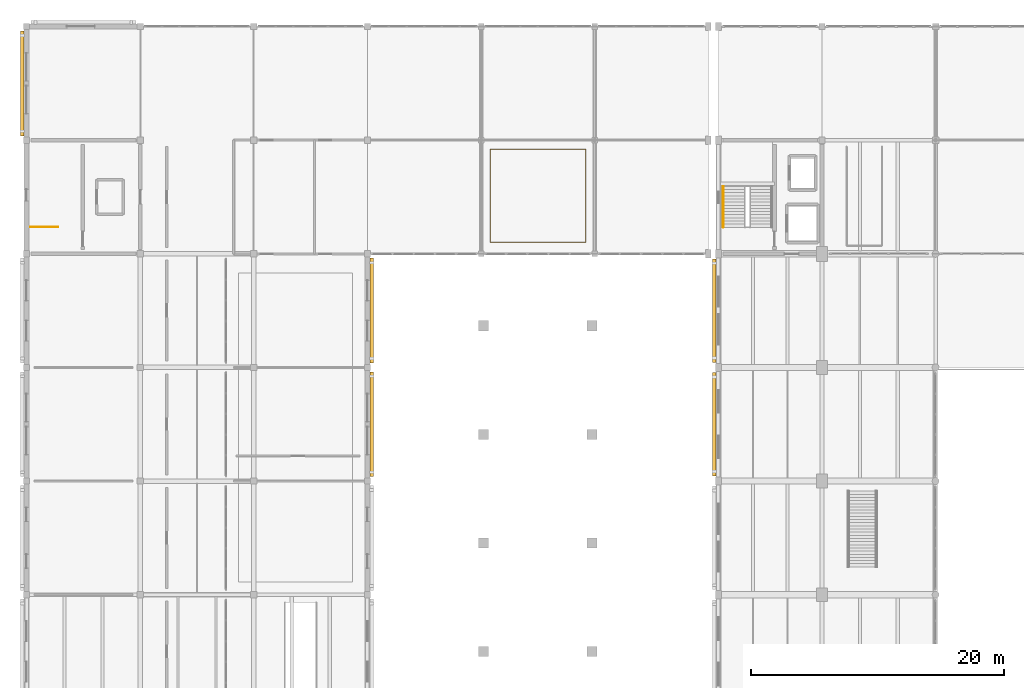
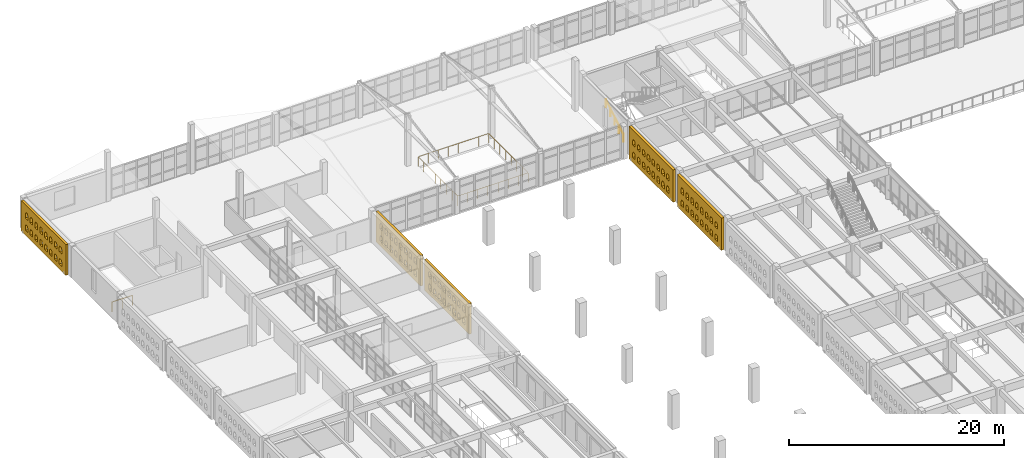
# One storey, part 149 of 156: 5 coverings, 3 railings.
"""IFC4 building model written with IfcOpenShell, lengths in metres."""

from ifc_helpers import new_model, si_unit, direction, frame, origin, origin_2d, place, context, subcontext, project, spatial, polyline, circle, outline, extrude, material, layer, layer_set, type_object, element, save


model = new_model("IFC4")

# Units and contexts
model_context = context("Model", 3, precision=1e-05, world=origin(), true_north=direction((0.0, 1.0)))
body_context = subcontext(model_context, "Body", "Model", "MODEL_VIEW")
ifc_project = project(units=[si_unit("LENGTHUNIT", "METRE"), si_unit("AREAUNIT", "SQUARE_METRE"), si_unit("VOLUMEUNIT", "CUBIC_METRE"), si_unit("PLANEANGLEUNIT", "RADIAN"), si_unit("MASSUNIT", "GRAM", prefix="KILO")], contexts=[model_context])

# Site, building, storey
site_placement = place(None, origin())
site = spatial("IfcSite", under=ifc_project, at=site_placement, CompositionType="ELEMENT")
building_placement = place(site_placement, origin())
building = spatial("IfcBuilding", under=site, at=building_placement, Name="Ornek Quay Market", CompositionType="ELEMENT")
storey_placement = place(building_placement, frame((0.0, 0.0, 4.5)))
storey = spatial("IfcBuildingStorey", under=building, at=storey_placement, Name="L01", CompositionType="ELEMENT", Elevation=4.5)

# Coverings
ifc_material_1 = material(Name="Frost-resistant facing clay brick M200 F100", Category="masonry")
ifc_layer_1 = layer(ifc_material_1, 0.25, Name="Frost-resistant facing clay brick M200 F100", Category="masonry")
ifc_layer_set_1 = layer_set([ifc_layer_1], Name="Frost-resistant facing clay brick M200 F100")
covering_type_1 = type_object("IfcCoveringType", Name="COV-BRICK-LATTICE-250", PredefinedType="CLADDING", material=ifc_layer_set_1)
covering_1_placement = place(storey_placement, frame((-0.340087890625, 101.35009765625, 0.0), z_axis=(0.0, 0.0, 1.0), x_axis=(0.0, 1.0, 0.0)))
element("IfcCovering", 1, at=covering_1_placement, inside=storey, type_object=covering_type_1, Name="Arched brick lattice screen BLS-020", PredefinedType="CLADDING", context=body_context, shape_type="SweptSolid", body=[
    extrude(outline(polyline([(0.0, 0.0), (8.2998046875, 0.0), (8.2998046875, 3.47998046875), (0.0, 3.47998046875), (0.0, 0.0)]), holes=[polyline([(0.760009765625, 0.550048828125), (1.239990234375, 0.550048828125), (1.239990234375, 1.050048828125), (1.1201171875, 1.2578125), (0.8798828125, 1.2578125), (0.760009765625, 1.050048828125), (0.760009765625, 0.550048828125)]), polyline([(0.760009765625, 1.949951171875), (1.239990234375, 1.949951171875), (1.239990234375, 2.449951171875), (1.1201171875, 2.65771484375), (0.8798828125, 2.65771484375), (0.760009765625, 2.449951171875), (0.760009765625, 1.949951171875)]), polyline([(1.659912109375, 0.550048828125), (2.139892578125, 0.550048828125), (2.139892578125, 1.050048828125), (2.02001953125, 1.2578125), (1.780029296875, 1.2578125), (1.659912109375, 1.050048828125), (1.659912109375, 0.550048828125)]), polyline([(1.659912109375, 1.949951171875), (2.139892578125, 1.949951171875), (2.139892578125, 2.449951171875), (2.02001953125, 2.65771484375), (1.780029296875, 2.65771484375), (1.659912109375, 2.449951171875), (1.659912109375, 1.949951171875)]), polyline([(2.56005859375, 0.550048828125), (3.0400390625, 0.550048828125), (3.0400390625, 1.050048828125), (2.919921875, 1.2578125), (2.679931640625, 1.2578125), (2.56005859375, 1.050048828125), (2.56005859375, 0.550048828125)]), polyline([(2.56005859375, 1.949951171875), (3.0400390625, 1.949951171875), (3.0400390625, 2.449951171875), (2.919921875, 2.65771484375), (2.679931640625, 2.65771484375), (2.56005859375, 2.449951171875), (2.56005859375, 1.949951171875)]), polyline([(3.4599609375, 0.550048828125), (3.93994140625, 0.550048828125), (3.93994140625, 1.050048828125), (3.820068359375, 1.2578125), (3.580078125, 1.2578125), (3.4599609375, 1.050048828125), (3.4599609375, 0.550048828125)]), polyline([(3.4599609375, 1.949951171875), (3.93994140625, 1.949951171875), (3.93994140625, 2.449951171875), (3.820068359375, 2.65771484375), (3.580078125, 2.65771484375), (3.4599609375, 2.449951171875), (3.4599609375, 1.949951171875)]), polyline([(4.360107421875, 0.550048828125), (4.840087890625, 0.550048828125), (4.840087890625, 1.050048828125), (4.719970703125, 1.2578125), (4.47998046875, 1.2578125), (4.360107421875, 1.050048828125), (4.360107421875, 0.550048828125)]), polyline([(4.360107421875, 1.949951171875), (4.840087890625, 1.949951171875), (4.840087890625, 2.449951171875), (4.719970703125, 2.65771484375), (4.47998046875, 2.65771484375), (4.360107421875, 2.449951171875), (4.360107421875, 1.949951171875)]), polyline([(5.260009765625, 0.550048828125), (5.739990234375, 0.550048828125), (5.739990234375, 1.050048828125), (5.6201171875, 1.2578125), (5.3798828125, 1.2578125), (5.260009765625, 1.050048828125), (5.260009765625, 0.550048828125)]), polyline([(5.260009765625, 1.949951171875), (5.739990234375, 1.949951171875), (5.739990234375, 2.449951171875), (5.6201171875, 2.65771484375), (5.3798828125, 2.65771484375), (5.260009765625, 2.449951171875), (5.260009765625, 1.949951171875)]), polyline([(6.159912109375, 0.550048828125), (6.639892578125, 0.550048828125), (6.639892578125, 1.050048828125), (6.52001953125, 1.2578125), (6.280029296875, 1.2578125), (6.159912109375, 1.050048828125), (6.159912109375, 0.550048828125)]), polyline([(6.159912109375, 1.949951171875), (6.639892578125, 1.949951171875), (6.639892578125, 2.449951171875), (6.52001953125, 2.65771484375), (6.280029296875, 2.65771484375), (6.159912109375, 2.449951171875), (6.159912109375, 1.949951171875)]), polyline([(7.06005859375, 0.550048828125), (7.5400390625, 0.550048828125), (7.5400390625, 1.050048828125), (7.419921875, 1.2578125), (7.179931640625, 1.2578125), (7.06005859375, 1.050048828125), (7.06005859375, 0.550048828125)]), polyline([(7.06005859375, 1.949951171875), (7.5400390625, 1.949951171875), (7.5400390625, 2.449951171875), (7.419921875, 2.65771484375), (7.179931640625, 2.65771484375), (7.06005859375, 2.449951171875), (7.06005859375, 1.949951171875)])]), frame((0.0, 0.125, 0.0), z_axis=(0.0, -1.0, 0.0), x_axis=(1.0, 0.0, 0.0)), (0.0, 0.0, 1.0), 0.25),
])
covering_2_placement = place(storey_placement, frame((27.340087890625, 74.35009765625, 0.0), z_axis=(0.0, 0.0, 1.0), x_axis=(0.0, 1.0, 0.0)))
element("IfcCovering", 2, at=covering_2_placement, inside=storey, type_object=covering_type_1, Name="Arched brick lattice screen BLS-026", PredefinedType="CLADDING", context=body_context, shape_type="SweptSolid", body=[
    extrude(outline(polyline([(0.0, 0.0), (8.2998046875, 0.0), (8.2998046875, 3.47998046875), (0.0, 3.47998046875), (0.0, 0.0)]), holes=[polyline([(0.760009765625, 0.550048828125), (1.239990234375, 0.550048828125), (1.239990234375, 1.050048828125), (1.1201171875, 1.2578125), (0.8798828125, 1.2578125), (0.760009765625, 1.050048828125), (0.760009765625, 0.550048828125)]), polyline([(0.760009765625, 1.949951171875), (1.239990234375, 1.949951171875), (1.239990234375, 2.449951171875), (1.1201171875, 2.65771484375), (0.8798828125, 2.65771484375), (0.760009765625, 2.449951171875), (0.760009765625, 1.949951171875)]), polyline([(1.659912109375, 0.550048828125), (2.139892578125, 0.550048828125), (2.139892578125, 1.050048828125), (2.02001953125, 1.2578125), (1.780029296875, 1.2578125), (1.659912109375, 1.050048828125), (1.659912109375, 0.550048828125)]), polyline([(1.659912109375, 1.949951171875), (2.139892578125, 1.949951171875), (2.139892578125, 2.449951171875), (2.02001953125, 2.65771484375), (1.780029296875, 2.65771484375), (1.659912109375, 2.449951171875), (1.659912109375, 1.949951171875)]), polyline([(2.56005859375, 0.550048828125), (3.0400390625, 0.550048828125), (3.0400390625, 1.050048828125), (2.919921875, 1.2578125), (2.679931640625, 1.2578125), (2.56005859375, 1.050048828125), (2.56005859375, 0.550048828125)]), polyline([(2.56005859375, 1.949951171875), (3.0400390625, 1.949951171875), (3.0400390625, 2.449951171875), (2.919921875, 2.65771484375), (2.679931640625, 2.65771484375), (2.56005859375, 2.449951171875), (2.56005859375, 1.949951171875)]), polyline([(3.4599609375, 0.550048828125), (3.93994140625, 0.550048828125), (3.93994140625, 1.050048828125), (3.820068359375, 1.2578125), (3.580078125, 1.2578125), (3.4599609375, 1.050048828125), (3.4599609375, 0.550048828125)]), polyline([(3.4599609375, 1.949951171875), (3.93994140625, 1.949951171875), (3.93994140625, 2.449951171875), (3.820068359375, 2.65771484375), (3.580078125, 2.65771484375), (3.4599609375, 2.449951171875), (3.4599609375, 1.949951171875)]), polyline([(4.360107421875, 0.550048828125), (4.840087890625, 0.550048828125), (4.840087890625, 1.050048828125), (4.719970703125, 1.2578125), (4.47998046875, 1.2578125), (4.360107421875, 1.050048828125), (4.360107421875, 0.550048828125)]), polyline([(4.360107421875, 1.949951171875), (4.840087890625, 1.949951171875), (4.840087890625, 2.449951171875), (4.719970703125, 2.65771484375), (4.47998046875, 2.65771484375), (4.360107421875, 2.449951171875), (4.360107421875, 1.949951171875)]), polyline([(5.260009765625, 0.550048828125), (5.739990234375, 0.550048828125), (5.739990234375, 1.050048828125), (5.6201171875, 1.2578125), (5.3798828125, 1.2578125), (5.260009765625, 1.050048828125), (5.260009765625, 0.550048828125)]), polyline([(5.260009765625, 1.949951171875), (5.739990234375, 1.949951171875), (5.739990234375, 2.449951171875), (5.6201171875, 2.65771484375), (5.3798828125, 2.65771484375), (5.260009765625, 2.449951171875), (5.260009765625, 1.949951171875)]), polyline([(6.159912109375, 0.550048828125), (6.639892578125, 0.550048828125), (6.639892578125, 1.050048828125), (6.52001953125, 1.2578125), (6.280029296875, 1.2578125), (6.159912109375, 1.050048828125), (6.159912109375, 0.550048828125)]), polyline([(6.159912109375, 1.949951171875), (6.639892578125, 1.949951171875), (6.639892578125, 2.449951171875), (6.52001953125, 2.65771484375), (6.280029296875, 2.65771484375), (6.159912109375, 2.449951171875), (6.159912109375, 1.949951171875)]), polyline([(7.06005859375, 0.550048828125), (7.5400390625, 0.550048828125), (7.5400390625, 1.050048828125), (7.419921875, 1.2578125), (7.179931640625, 1.2578125), (7.06005859375, 1.050048828125), (7.06005859375, 0.550048828125)]), polyline([(7.06005859375, 1.949951171875), (7.5400390625, 1.949951171875), (7.5400390625, 2.449951171875), (7.419921875, 2.65771484375), (7.179931640625, 2.65771484375), (7.06005859375, 2.449951171875), (7.06005859375, 1.949951171875)])]), frame((0.0, 0.125, 0.0), z_axis=(0.0, -1.0, 0.0), x_axis=(1.0, 0.0, 0.0)), (0.0, 0.0, 1.0), 0.25),
])
covering_3_placement = place(storey_placement, frame((27.340087890625, 83.35009765625, 0.0), z_axis=(0.0, 0.0, 1.0), x_axis=(0.0, 1.0, 0.0)))
element("IfcCovering", 3, at=covering_3_placement, inside=storey, type_object=covering_type_1, Name="Arched brick lattice screen BLS-027", PredefinedType="CLADDING", context=body_context, shape_type="SweptSolid", body=[
    extrude(outline(polyline([(0.0, 0.0), (8.2998046875, 0.0), (8.2998046875, 3.47998046875), (0.0, 3.47998046875), (0.0, 0.0)]), holes=[polyline([(0.760009765625, 0.550048828125), (1.239990234375, 0.550048828125), (1.239990234375, 1.050048828125), (1.1201171875, 1.2578125), (0.8798828125, 1.2578125), (0.760009765625, 1.050048828125), (0.760009765625, 0.550048828125)]), polyline([(0.760009765625, 1.949951171875), (1.239990234375, 1.949951171875), (1.239990234375, 2.449951171875), (1.1201171875, 2.65771484375), (0.8798828125, 2.65771484375), (0.760009765625, 2.449951171875), (0.760009765625, 1.949951171875)]), polyline([(1.659912109375, 0.550048828125), (2.139892578125, 0.550048828125), (2.139892578125, 1.050048828125), (2.02001953125, 1.2578125), (1.780029296875, 1.2578125), (1.659912109375, 1.050048828125), (1.659912109375, 0.550048828125)]), polyline([(1.659912109375, 1.949951171875), (2.139892578125, 1.949951171875), (2.139892578125, 2.449951171875), (2.02001953125, 2.65771484375), (1.780029296875, 2.65771484375), (1.659912109375, 2.449951171875), (1.659912109375, 1.949951171875)]), polyline([(2.56005859375, 0.550048828125), (3.0400390625, 0.550048828125), (3.0400390625, 1.050048828125), (2.919921875, 1.2578125), (2.679931640625, 1.2578125), (2.56005859375, 1.050048828125), (2.56005859375, 0.550048828125)]), polyline([(2.56005859375, 1.949951171875), (3.0400390625, 1.949951171875), (3.0400390625, 2.449951171875), (2.919921875, 2.65771484375), (2.679931640625, 2.65771484375), (2.56005859375, 2.449951171875), (2.56005859375, 1.949951171875)]), polyline([(3.4599609375, 0.550048828125), (3.93994140625, 0.550048828125), (3.93994140625, 1.050048828125), (3.820068359375, 1.2578125), (3.580078125, 1.2578125), (3.4599609375, 1.050048828125), (3.4599609375, 0.550048828125)]), polyline([(3.4599609375, 1.949951171875), (3.93994140625, 1.949951171875), (3.93994140625, 2.449951171875), (3.820068359375, 2.65771484375), (3.580078125, 2.65771484375), (3.4599609375, 2.449951171875), (3.4599609375, 1.949951171875)]), polyline([(4.360107421875, 0.550048828125), (4.840087890625, 0.550048828125), (4.840087890625, 1.050048828125), (4.719970703125, 1.2578125), (4.47998046875, 1.2578125), (4.360107421875, 1.050048828125), (4.360107421875, 0.550048828125)]), polyline([(4.360107421875, 1.949951171875), (4.840087890625, 1.949951171875), (4.840087890625, 2.449951171875), (4.719970703125, 2.65771484375), (4.47998046875, 2.65771484375), (4.360107421875, 2.449951171875), (4.360107421875, 1.949951171875)]), polyline([(5.260009765625, 0.550048828125), (5.739990234375, 0.550048828125), (5.739990234375, 1.050048828125), (5.6201171875, 1.2578125), (5.3798828125, 1.2578125), (5.260009765625, 1.050048828125), (5.260009765625, 0.550048828125)]), polyline([(5.260009765625, 1.949951171875), (5.739990234375, 1.949951171875), (5.739990234375, 2.449951171875), (5.6201171875, 2.65771484375), (5.3798828125, 2.65771484375), (5.260009765625, 2.449951171875), (5.260009765625, 1.949951171875)]), polyline([(6.159912109375, 0.550048828125), (6.639892578125, 0.550048828125), (6.639892578125, 1.050048828125), (6.52001953125, 1.2578125), (6.280029296875, 1.2578125), (6.159912109375, 1.050048828125), (6.159912109375, 0.550048828125)]), polyline([(6.159912109375, 1.949951171875), (6.639892578125, 1.949951171875), (6.639892578125, 2.449951171875), (6.52001953125, 2.65771484375), (6.280029296875, 2.65771484375), (6.159912109375, 2.449951171875), (6.159912109375, 1.949951171875)]), polyline([(7.06005859375, 0.550048828125), (7.5400390625, 0.550048828125), (7.5400390625, 1.050048828125), (7.419921875, 1.2578125), (7.179931640625, 1.2578125), (7.06005859375, 1.050048828125), (7.06005859375, 0.550048828125)]), polyline([(7.06005859375, 1.949951171875), (7.5400390625, 1.949951171875), (7.5400390625, 2.449951171875), (7.419921875, 2.65771484375), (7.179931640625, 2.65771484375), (7.06005859375, 2.449951171875), (7.06005859375, 1.949951171875)])]), frame((0.0, 0.125, 0.0), z_axis=(0.0, -1.0, 0.0), x_axis=(1.0, 0.0, 0.0)), (0.0, 0.0, 1.0), 0.25),
])
ifc_layer_2 = layer(ifc_material_1, 0.2900390625, Name="Frost-resistant facing clay brick M200 F100", Category="masonry")
ifc_layer_set_2 = layer_set([ifc_layer_2], Name="Frost-resistant facing clay brick M200 F100")
covering_type_2 = type_object("IfcCoveringType", Name="COV-BRICK-LATTICE-290", PredefinedType="CLADDING", material=ifc_layer_set_2)
covering_4_placement = place(storey_placement, frame((54.4599609375, 74.39990234375, 0.0), z_axis=(0.0, 0.0, 1.0), x_axis=(0.0, 1.0, 0.0)))
element("IfcCovering", 4, at=covering_4_placement, inside=storey, type_object=covering_type_2, Name="Arched brick lattice screen BLS-047", PredefinedType="CLADDING", context=body_context, shape_type="SweptSolid", body=[
    extrude(outline(polyline([(0.0, 0.0), (8.2001953125, 0.0), (8.2001953125, 3.659912109375), (0.0, 3.659912109375), (0.0, 0.0)]), holes=[polyline([(0.7099609375, 0.550048828125), (1.18994140625, 0.550048828125), (1.18994140625, 1.050048828125), (1.070068359375, 1.2578125), (0.830078125, 1.2578125), (0.7099609375, 1.050048828125), (0.7099609375, 0.550048828125)]), polyline([(0.7099609375, 1.949951171875), (1.18994140625, 1.949951171875), (1.18994140625, 2.449951171875), (1.070068359375, 2.65771484375), (0.830078125, 2.65771484375), (0.7099609375, 2.449951171875), (0.7099609375, 1.949951171875)]), polyline([(1.610107421875, 0.550048828125), (2.090087890625, 0.550048828125), (2.090087890625, 1.050048828125), (1.969970703125, 1.2578125), (1.72998046875, 1.2578125), (1.610107421875, 1.050048828125), (1.610107421875, 0.550048828125)]), polyline([(1.610107421875, 1.949951171875), (2.090087890625, 1.949951171875), (2.090087890625, 2.449951171875), (1.969970703125, 2.65771484375), (1.72998046875, 2.65771484375), (1.610107421875, 2.449951171875), (1.610107421875, 1.949951171875)]), polyline([(2.510009765625, 0.550048828125), (2.989990234375, 0.550048828125), (2.989990234375, 1.050048828125), (2.8701171875, 1.2578125), (2.6298828125, 1.2578125), (2.510009765625, 1.050048828125), (2.510009765625, 0.550048828125)]), polyline([(2.510009765625, 1.949951171875), (2.989990234375, 1.949951171875), (2.989990234375, 2.449951171875), (2.8701171875, 2.65771484375), (2.6298828125, 2.65771484375), (2.510009765625, 2.449951171875), (2.510009765625, 1.949951171875)]), polyline([(3.409912109375, 0.550048828125), (3.889892578125, 0.550048828125), (3.889892578125, 1.050048828125), (3.77001953125, 1.2578125), (3.530029296875, 1.2578125), (3.409912109375, 1.050048828125), (3.409912109375, 0.550048828125)]), polyline([(3.409912109375, 1.949951171875), (3.889892578125, 1.949951171875), (3.889892578125, 2.449951171875), (3.77001953125, 2.65771484375), (3.530029296875, 2.65771484375), (3.409912109375, 2.449951171875), (3.409912109375, 1.949951171875)]), polyline([(4.31005859375, 0.550048828125), (4.7900390625, 0.550048828125), (4.7900390625, 1.050048828125), (4.669921875, 1.2578125), (4.429931640625, 1.2578125), (4.31005859375, 1.050048828125), (4.31005859375, 0.550048828125)]), polyline([(4.31005859375, 1.949951171875), (4.7900390625, 1.949951171875), (4.7900390625, 2.449951171875), (4.669921875, 2.65771484375), (4.429931640625, 2.65771484375), (4.31005859375, 2.449951171875), (4.31005859375, 1.949951171875)]), polyline([(5.2099609375, 0.550048828125), (5.68994140625, 0.550048828125), (5.68994140625, 1.050048828125), (5.570068359375, 1.2578125), (5.330078125, 1.2578125), (5.2099609375, 1.050048828125), (5.2099609375, 0.550048828125)]), polyline([(5.2099609375, 1.949951171875), (5.68994140625, 1.949951171875), (5.68994140625, 2.449951171875), (5.570068359375, 2.65771484375), (5.330078125, 2.65771484375), (5.2099609375, 2.449951171875), (5.2099609375, 1.949951171875)]), polyline([(6.110107421875, 0.550048828125), (6.590087890625, 0.550048828125), (6.590087890625, 1.050048828125), (6.469970703125, 1.2578125), (6.22998046875, 1.2578125), (6.110107421875, 1.050048828125), (6.110107421875, 0.550048828125)]), polyline([(6.110107421875, 1.949951171875), (6.590087890625, 1.949951171875), (6.590087890625, 2.449951171875), (6.469970703125, 2.65771484375), (6.22998046875, 2.65771484375), (6.110107421875, 2.449951171875), (6.110107421875, 1.949951171875)]), polyline([(7.010009765625, 0.550048828125), (7.489990234375, 0.550048828125), (7.489990234375, 1.050048828125), (7.3701171875, 1.2578125), (7.1298828125, 1.2578125), (7.010009765625, 1.050048828125), (7.010009765625, 0.550048828125)]), polyline([(7.010009765625, 1.949951171875), (7.489990234375, 1.949951171875), (7.489990234375, 2.449951171875), (7.3701171875, 2.65771484375), (7.1298828125, 2.65771484375), (7.010009765625, 2.449951171875), (7.010009765625, 1.949951171875)])]), frame((0.0, 0.14501953125, 0.0), z_axis=(0.0, -1.0, 0.0), x_axis=(1.0, 0.0, 0.0)), (0.0, 0.0, 1.0), 0.2900390625),
])
covering_5_placement = place(storey_placement, frame((54.4599609375, 83.39990234375, 0.0), z_axis=(0.0, 0.0, 1.0), x_axis=(0.0, 1.0, 0.0)))
element("IfcCovering", 5, at=covering_5_placement, inside=storey, type_object=covering_type_2, Name="Arched brick lattice screen BLS-048", PredefinedType="CLADDING", context=body_context, shape_type="SweptSolid", body=[
    extrude(outline(polyline([(0.0, 0.0), (8.2001953125, 0.0), (8.2001953125, 3.659912109375), (0.0, 3.659912109375), (0.0, 0.0)]), holes=[polyline([(0.7099609375, 0.550048828125), (1.18994140625, 0.550048828125), (1.18994140625, 1.050048828125), (1.070068359375, 1.2578125), (0.830078125, 1.2578125), (0.7099609375, 1.050048828125), (0.7099609375, 0.550048828125)]), polyline([(0.7099609375, 1.949951171875), (1.18994140625, 1.949951171875), (1.18994140625, 2.449951171875), (1.070068359375, 2.65771484375), (0.830078125, 2.65771484375), (0.7099609375, 2.449951171875), (0.7099609375, 1.949951171875)]), polyline([(1.610107421875, 0.550048828125), (2.090087890625, 0.550048828125), (2.090087890625, 1.050048828125), (1.969970703125, 1.2578125), (1.72998046875, 1.2578125), (1.610107421875, 1.050048828125), (1.610107421875, 0.550048828125)]), polyline([(1.610107421875, 1.949951171875), (2.090087890625, 1.949951171875), (2.090087890625, 2.449951171875), (1.969970703125, 2.65771484375), (1.72998046875, 2.65771484375), (1.610107421875, 2.449951171875), (1.610107421875, 1.949951171875)]), polyline([(2.510009765625, 0.550048828125), (2.989990234375, 0.550048828125), (2.989990234375, 1.050048828125), (2.8701171875, 1.2578125), (2.6298828125, 1.2578125), (2.510009765625, 1.050048828125), (2.510009765625, 0.550048828125)]), polyline([(2.510009765625, 1.949951171875), (2.989990234375, 1.949951171875), (2.989990234375, 2.449951171875), (2.8701171875, 2.65771484375), (2.6298828125, 2.65771484375), (2.510009765625, 2.449951171875), (2.510009765625, 1.949951171875)]), polyline([(3.409912109375, 0.550048828125), (3.889892578125, 0.550048828125), (3.889892578125, 1.050048828125), (3.77001953125, 1.2578125), (3.530029296875, 1.2578125), (3.409912109375, 1.050048828125), (3.409912109375, 0.550048828125)]), polyline([(3.409912109375, 1.949951171875), (3.889892578125, 1.949951171875), (3.889892578125, 2.449951171875), (3.77001953125, 2.65771484375), (3.530029296875, 2.65771484375), (3.409912109375, 2.449951171875), (3.409912109375, 1.949951171875)]), polyline([(4.31005859375, 0.550048828125), (4.7900390625, 0.550048828125), (4.7900390625, 1.050048828125), (4.669921875, 1.2578125), (4.429931640625, 1.2578125), (4.31005859375, 1.050048828125), (4.31005859375, 0.550048828125)]), polyline([(4.31005859375, 1.949951171875), (4.7900390625, 1.949951171875), (4.7900390625, 2.449951171875), (4.669921875, 2.65771484375), (4.429931640625, 2.65771484375), (4.31005859375, 2.449951171875), (4.31005859375, 1.949951171875)]), polyline([(5.2099609375, 0.550048828125), (5.68994140625, 0.550048828125), (5.68994140625, 1.050048828125), (5.570068359375, 1.2578125), (5.330078125, 1.2578125), (5.2099609375, 1.050048828125), (5.2099609375, 0.550048828125)]), polyline([(5.2099609375, 1.949951171875), (5.68994140625, 1.949951171875), (5.68994140625, 2.449951171875), (5.570068359375, 2.65771484375), (5.330078125, 2.65771484375), (5.2099609375, 2.449951171875), (5.2099609375, 1.949951171875)]), polyline([(6.110107421875, 0.550048828125), (6.590087890625, 0.550048828125), (6.590087890625, 1.050048828125), (6.469970703125, 1.2578125), (6.22998046875, 1.2578125), (6.110107421875, 1.050048828125), (6.110107421875, 0.550048828125)]), polyline([(6.110107421875, 1.949951171875), (6.590087890625, 1.949951171875), (6.590087890625, 2.449951171875), (6.469970703125, 2.65771484375), (6.22998046875, 2.65771484375), (6.110107421875, 2.449951171875), (6.110107421875, 1.949951171875)]), polyline([(7.010009765625, 0.550048828125), (7.489990234375, 0.550048828125), (7.489990234375, 1.050048828125), (7.3701171875, 1.2578125), (7.1298828125, 1.2578125), (7.010009765625, 1.050048828125), (7.010009765625, 0.550048828125)]), polyline([(7.010009765625, 1.949951171875), (7.489990234375, 1.949951171875), (7.489990234375, 2.449951171875), (7.3701171875, 2.65771484375), (7.1298828125, 2.65771484375), (7.010009765625, 2.449951171875), (7.010009765625, 1.949951171875)])]), frame((0.0, 0.14501953125, 0.0), z_axis=(0.0, -1.0, 0.0), x_axis=(1.0, 0.0, 0.0)), (0.0, 0.0, 1.0), 0.2900390625),
])

# Railings
ifc_material_2 = material(Name="Painted steel S355 and vertical infill bars", Category="steel")
railing_type_1 = type_object("IfcRailingType", Name="RL-GUARD-GAL-1100", PredefinedType="GUARDRAIL", material=ifc_material_2)
railing_1_placement = place(storey_placement, frame((36.719970703125, 92.919921875, 0.0)))
element("IfcRailing", 6, at=railing_1_placement, inside=storey, type_object=railing_type_1, Name="Railing GR-01-132", PredefinedType="GUARDRAIL", context=body_context, shape_type="SweptSolid", body=[
    extrude(circle(Radius=0.02392578125, at=origin_2d()), frame((0.0, 0.0, 1.09619140625), z_axis=(1.0, 0.0, 0.0), x_axis=(0.0, 1.0, 0.0)), (0.0, 0.0, 1.0), 7.530029296875),
    extrude(circle(Radius=0.02392578125, at=origin_2d()), frame((7.56005859375, 0.030029296875, 1.09619140625), z_axis=(0.0, 1.0, 0.0), x_axis=(-1.0, 0.0, 0.0)), (0.0, 0.0, 1.0), 7.300048828125),
    extrude(circle(Radius=0.02392578125, at=origin_2d()), frame((7.530029296875, 7.360107421875, 1.09619140625), z_axis=(-1.0, 0.0, 0.0), x_axis=(0.0, -1.0, 0.0)), (0.0, 0.0, 1.0), 7.5),
    extrude(circle(Radius=0.02392578125, at=origin_2d()), frame((0.0, 7.330078125, 1.09619140625), z_axis=(0.0, -1.0, 0.0), x_axis=(1.0, 0.0, 0.0)), (0.0, 0.0, 1.0), 7.330078125),
    extrude(circle(Radius=0.02099609375, at=origin_2d()), origin(), (0.0, 0.0, 1.0), 1.068115234375),
    extrude(circle(Radius=0.02099609375, at=origin_2d()), frame((1.080078125, 0.0, 0.0)), (0.0, 0.0, 1.0), 1.068115234375),
    extrude(circle(Radius=0.02099609375, at=origin_2d()), frame((2.159912109375, 0.0, 0.0)), (0.0, 0.0, 1.0), 1.068115234375),
    extrude(circle(Radius=0.02099609375, at=origin_2d()), frame((3.239990234375, 0.0, 0.0)), (0.0, 0.0, 1.0), 1.068115234375),
    extrude(circle(Radius=0.02099609375, at=origin_2d()), frame((4.320068359375, 0.0, 0.0)), (0.0, 0.0, 1.0), 1.068115234375),
    extrude(circle(Radius=0.02099609375, at=origin_2d()), frame((5.400146484375, 0.0, 0.0)), (0.0, 0.0, 1.0), 1.068115234375),
    extrude(circle(Radius=0.02099609375, at=origin_2d()), frame((6.47998046875, 0.0, 0.0)), (0.0, 0.0, 1.0), 1.068115234375),
    extrude(circle(Radius=0.02099609375, at=origin_2d()), frame((7.56005859375, 0.0, 0.0)), (0.0, 0.0, 1.0), 1.068115234375),
    extrude(circle(Radius=0.02099609375, at=origin_2d()), frame((7.56005859375, 1.051513671875, 0.0)), (0.0, 0.0, 1.0), 1.068115234375),
    extrude(circle(Radius=0.02099609375, at=origin_2d()), frame((7.56005859375, 2.102783203125, 0.0)), (0.0, 0.0, 1.0), 1.068115234375),
    extrude(circle(Radius=0.02099609375, at=origin_2d()), frame((7.56005859375, 3.154296875, 0.0)), (0.0, 0.0, 1.0), 1.068115234375),
    extrude(circle(Radius=0.02099609375, at=origin_2d()), frame((7.56005859375, 4.205810546875, 0.0)), (0.0, 0.0, 1.0), 1.068115234375),
    extrude(circle(Radius=0.02099609375, at=origin_2d()), frame((7.56005859375, 5.25732421875, 0.0)), (0.0, 0.0, 1.0), 1.068115234375),
    extrude(circle(Radius=0.02099609375, at=origin_2d()), frame((7.56005859375, 6.30859375, 0.0)), (0.0, 0.0, 1.0), 1.068115234375),
    extrude(circle(Radius=0.02099609375, at=origin_2d()), frame((7.56005859375, 7.360107421875, 0.0)), (0.0, 0.0, 1.0), 1.068115234375),
    extrude(circle(Radius=0.02099609375, at=origin_2d()), frame((6.47998046875, 7.360107421875, 0.0)), (0.0, 0.0, 1.0), 1.068115234375),
    extrude(circle(Radius=0.02099609375, at=origin_2d()), frame((5.400146484375, 7.360107421875, 0.0)), (0.0, 0.0, 1.0), 1.068115234375),
    extrude(circle(Radius=0.02099609375, at=origin_2d()), frame((4.320068359375, 7.360107421875, 0.0)), (0.0, 0.0, 1.0), 1.068115234375),
    extrude(circle(Radius=0.02099609375, at=origin_2d()), frame((3.239990234375, 7.360107421875, 0.0)), (0.0, 0.0, 1.0), 1.068115234375),
    extrude(circle(Radius=0.02099609375, at=origin_2d()), frame((2.159912109375, 7.360107421875, 0.0)), (0.0, 0.0, 1.0), 1.068115234375),
    extrude(circle(Radius=0.02099609375, at=origin_2d()), frame((1.080078125, 7.360107421875, 0.0)), (0.0, 0.0, 1.0), 1.068115234375),
    extrude(circle(Radius=0.02099609375, at=origin_2d()), frame((0.0, 7.360107421875, 0.0)), (0.0, 0.0, 1.0), 1.068115234375),
    extrude(circle(Radius=0.02099609375, at=origin_2d()), frame((0.0, 6.30859375, 0.0)), (0.0, 0.0, 1.0), 1.068115234375),
    extrude(circle(Radius=0.02099609375, at=origin_2d()), frame((0.0, 5.25732421875, 0.0)), (0.0, 0.0, 1.0), 1.068115234375),
    extrude(circle(Radius=0.02099609375, at=origin_2d()), frame((0.0, 4.205810546875, 0.0)), (0.0, 0.0, 1.0), 1.068115234375),
    extrude(circle(Radius=0.02099609375, at=origin_2d()), frame((0.0, 3.154296875, 0.0)), (0.0, 0.0, 1.0), 1.068115234375),
    extrude(circle(Radius=0.02099609375, at=origin_2d()), frame((0.0, 2.102783203125, 0.0)), (0.0, 0.0, 1.0), 1.068115234375),
    extrude(circle(Radius=0.02099609375, at=origin_2d()), frame((0.0, 1.051513671875, 0.0)), (0.0, 0.0, 1.0), 1.068115234375),
])
ifc_material_3 = material(Name="Brushed stainless steel 316", Category="steel")
railing_type_2 = type_object("IfcRailingType", Name="RL-GUARD-STAIR-1100", PredefinedType="GUARDRAIL", material=ifc_material_3)
railing_2_placement = place(storey_placement, frame((0.320068359375, 94.1201171875, 0.0)))
element("IfcRailing", 7, at=railing_2_placement, inside=storey, type_object=railing_type_2, Name="Railing GR-03-004", PredefinedType="GUARDRAIL", context=body_context, shape_type="SweptSolid", body=[
    extrude(circle(Radius=0.02392578125, at=origin_2d()), frame((0.0, 0.0, 1.09619140625), z_axis=(1.0, 0.0, 0.0), x_axis=(0.0, 1.0, 0.0)), (0.0, 0.0, 1.0), 2.179931640625),
    extrude(circle(Radius=0.02099609375, at=origin_2d()), origin(), (0.0, 0.0, 1.0), 1.068115234375),
    extrude(circle(Radius=0.02099609375, at=origin_2d()), frame((1.08984375, 0.0, 0.0)), (0.0, 0.0, 1.0), 1.068115234375),
    extrude(circle(Radius=0.02099609375, at=origin_2d()), frame((2.179931640625, 0.0, 0.0)), (0.0, 0.0, 1.0), 1.068115234375),
])
railing_type_3 = type_object("IfcRailingType", Name="RL-HANDRAIL-920", PredefinedType="HANDRAIL", material=ifc_material_3)
railing_3_placement = place(storey_placement, frame((55.179931640625, 94.095947265625, 0.080078125)))
element("IfcRailing", 8, at=railing_3_placement, inside=storey, type_object=railing_type_3, Name="Railing HR-01-022", PredefinedType="HANDRAIL", context=body_context, shape_type="SweptSolid", body=[
    extrude(circle(Radius=0.02392578125, at=origin_2d()), frame((0.0, 0.0, 0.89599609375), z_axis=(0.0, 0.857225438961, 0.514941304226), x_axis=(-1.0, 0.0, 0.0)), (0.0, 0.0, 1.0), 3.786865234375),
    extrude(circle(Radius=0.02099609375, at=origin_2d()), origin(), (0.0, 0.0, 1.0), 0.867919921875),
    extrude(circle(Radius=0.02099609375, at=origin_2d()), frame((0.0, 0.8115234375, 0.487548828125)), (0.0, 0.0, 1.0), 0.867919921875),
    extrude(circle(Radius=0.02099609375, at=origin_2d()), frame((0.0, 1.623046875, 0.97509765625)), (0.0, 0.0, 1.0), 0.867919921875),
    extrude(circle(Radius=0.02099609375, at=origin_2d()), frame((0.0, 2.4345703125, 1.46240234375)), (0.0, 0.0, 1.0), 0.867919921875),
    extrude(circle(Radius=0.02099609375, at=origin_2d()), frame((0.0, 3.24609375, 1.949951171875)), (0.0, 0.0, 1.0), 0.867919921875),
])

save(model, "model.ifc")
